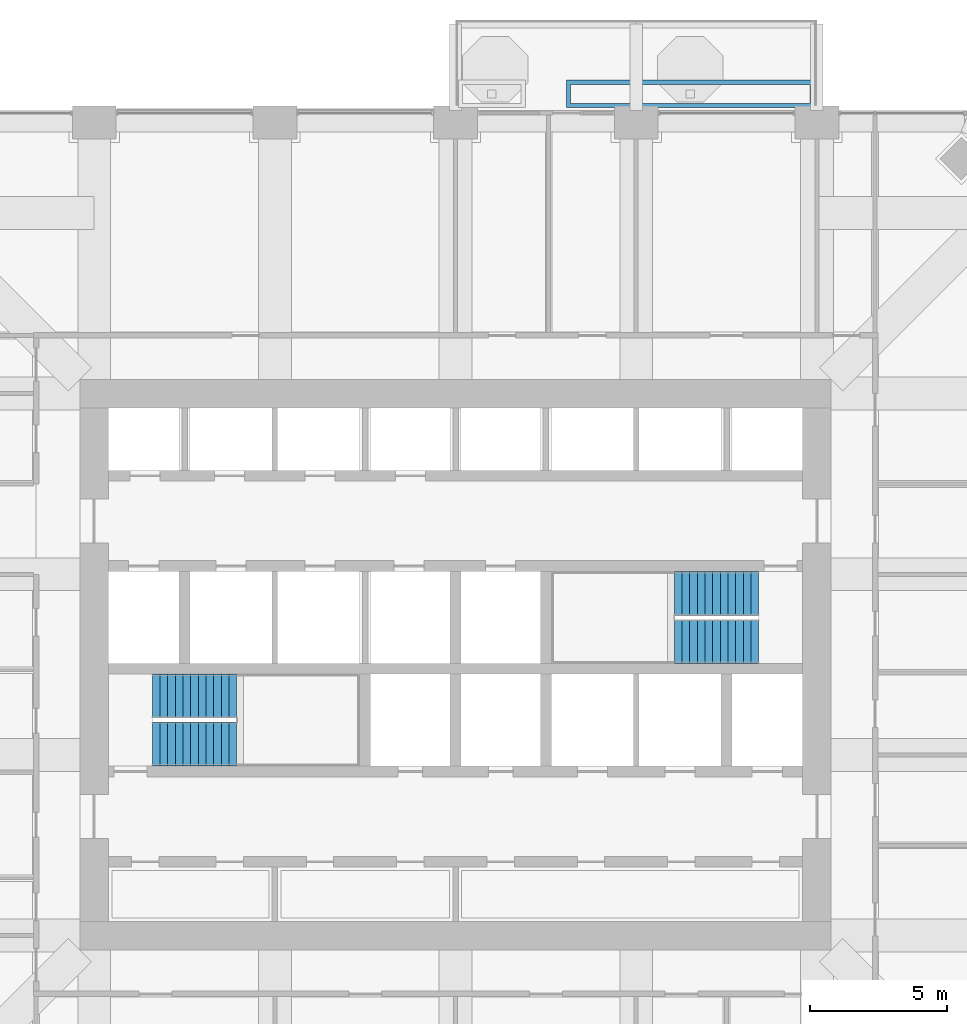
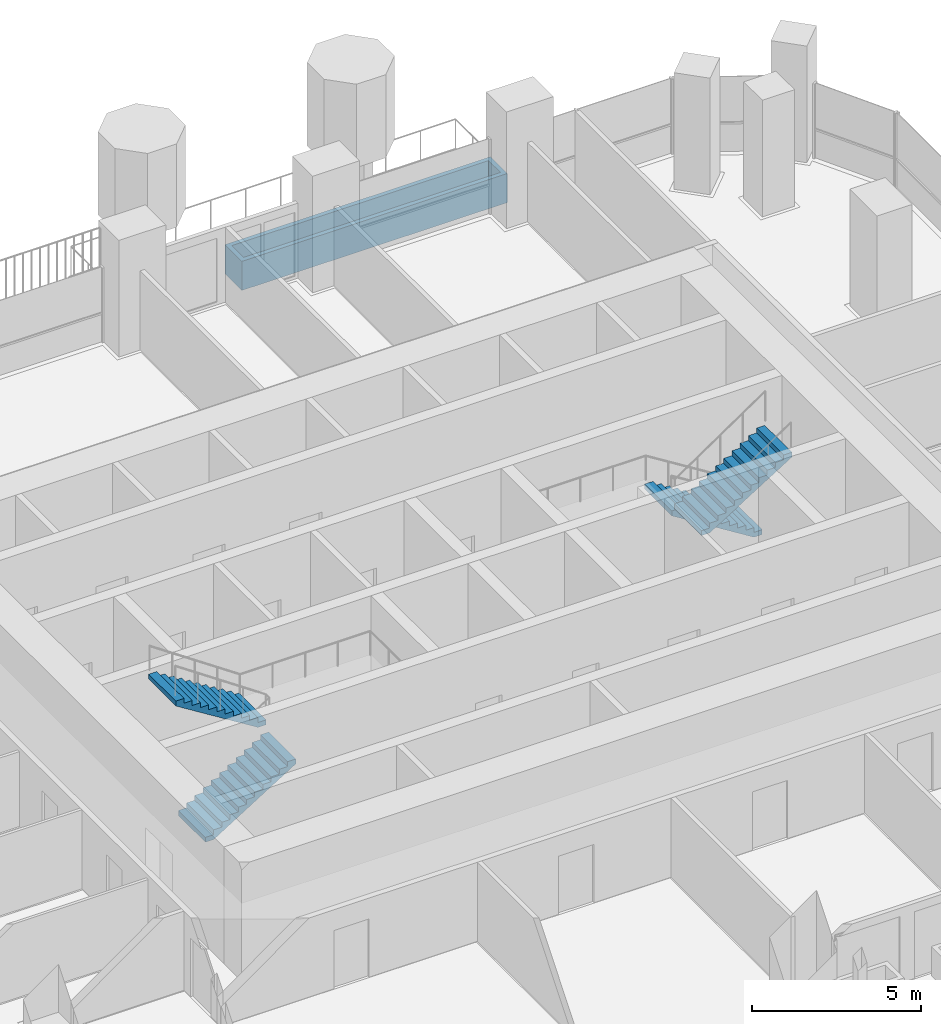
# One storey, part 16 of 20: 4 stair flights, 1 wall, 2 elements without a shape of their own.
"""IFC4 building model written with IfcOpenShell, lengths in metres."""

from ifc_helpers import new_model, si_unit, direction, frame, origin, place, context, subcontext, project, spatial, polyline, outline, extrude, material, layer, layer_set, type_object, element, aggregate, save


model = new_model("IFC4")

# Units and contexts
model_context = context("Model", 3, precision=1e-05, world=origin(), true_north=direction((0.0, 1.0)))
body_context = subcontext(model_context, "Body", "Model", "MODEL_VIEW")
ifc_project = project(units=[si_unit("LENGTHUNIT", "METRE"), si_unit("AREAUNIT", "SQUARE_METRE"), si_unit("VOLUMEUNIT", "CUBIC_METRE"), si_unit("PLANEANGLEUNIT", "RADIAN"), si_unit("MASSUNIT", "GRAM", prefix="KILO")], contexts=[model_context])

# Site, building, storey
site_placement = place(None, origin())
site = spatial("IfcSite", under=ifc_project, at=site_placement, CompositionType="ELEMENT")
building_placement = place(site_placement, origin())
building = spatial("IfcBuilding", under=site, at=building_placement, Name="Cobogo Forest Laboratory Tower", CompositionType="ELEMENT")
storey_placement = place(building_placement, frame((0.0, 0.0, 189.300048828125)))
storey = spatial("IfcBuildingStorey", under=building, at=storey_placement, Name="L43", CompositionType="ELEMENT", Elevation=189.300048828125)

# Wall
ifc_material_1 = material(Name="Concrete HA-40 (C40/50)", Category="concrete")
ifc_layer = layer(ifc_material_1, 0.14990234375)
ifc_layer_set = layer_set([ifc_layer], Name="Planter box 1000x1050")
wall_type = type_object("IfcWallType", Name="Planter box 1000x1050", PredefinedType="USERDEFINED", material=ifc_layer_set)
wall_placement = place(storey_placement, origin())
element("IfcWall", 1, at=wall_placement, inside=storey, type_object=wall_type, Name="Planter BAL-N1-2 L43", ObjectType="PLANTER", PredefinedType="USERDEFINED", context=body_context, shape_type="SweptSolid", body=[
    extrude(outline(polyline([(30.449951171875, 43.449951171875), (39.5, 43.449951171875), (39.5, 44.449951171875), (30.449951171875, 44.449951171875), (30.449951171875, 43.449951171875)]), holes=[polyline([(30.60009765625, 43.60009765625), (39.35009765625, 43.60009765625), (39.35009765625, 44.300048828125), (30.60009765625, 44.300048828125), (30.60009765625, 43.60009765625)])]), origin(), (0.0, 0.0, 1.0), 1.050048828125),
])

# Stair, stair flights
ifc_material_2 = material(Name="Precast concrete HA-40 (C40/50)", Category="concrete")
stair_type = type_object("IfcStairType", Name="ST24 exit stair 24 risers", PredefinedType="HALF_TURN_STAIR", material=ifc_material_2)
stair_1_placement = place(storey_placement, origin())
stair_1 = element("IfcStair", 2, at=stair_1_placement, inside=storey, type_object=stair_type, Name="Stair 1 L43 to L44", PredefinedType="HALF_TURN_STAIR")
stair_flight_type = type_object("IfcStairFlightType", Name="ST stair flight 280 going", PredefinedType="STRAIGHT", material=ifc_material_2)
stair_flight_1_placement = place(storey_placement, frame((15.324951171875, 20.199951171875, 0.0), z_axis=(0.0, 0.0, 1.0), x_axis=(1.0, 0.0, 0.0)))
stair_flight_1 = element("IfcStairFlight", 3, at=stair_flight_1_placement, type_object=stair_flight_type, Name="ST1 flight 1", NumberOfRisers=12, NumberOfTreads=11, PredefinedType="STRAIGHT", RiserHeight=0.175, TreadLength=0.28, context=body_context, shape_type="SweptSolid", body=[
    extrude(outline(polyline([(0.0, 0.0), (0.0, 0.175048828125), (0.280029296875, 0.175048828125), (0.280029296875, 0.35009765625), (0.56005859375, 0.35009765625), (0.56005859375, 0.52490234375), (0.840087890625, 0.52490234375), (0.840087890625, 0.699951171875), (1.1201171875, 0.699951171875), (1.1201171875, 0.875), (1.39990234375, 0.875), (1.39990234375, 1.050048828125), (1.679931640625, 1.050048828125), (1.679931640625, 1.22509765625), (1.9599609375, 1.22509765625), (1.9599609375, 1.39990234375), (2.239990234375, 1.39990234375), (2.239990234375, 1.574951171875), (2.52001953125, 1.574951171875), (2.52001953125, 1.75), (2.800048828125, 1.75), (2.800048828125, 1.925048828125), (3.080078125, 1.925048828125), (3.080078125, 2.10009765625), (3.080078125, 1.748291015625), (0.28271484375, 0.0), (0.0, 0.0)])), frame((0.0, 0.800048828125, 0.0), z_axis=(0.0, -1.0, 0.0), x_axis=(1.0, 0.0, 0.0)), (0.0, 0.0, 1.0), 1.60009765625),
])
stair_flight_2_placement = place(storey_placement, frame((18.405029296875, 21.949951171875, 2.099853515625), z_axis=(0.0, 0.0, 1.0), x_axis=(-1.0, 0.0, 0.0)))
stair_flight_2 = element("IfcStairFlight", 4, at=stair_flight_2_placement, type_object=stair_flight_type, Name="ST1 flight 2", NumberOfRisers=12, NumberOfTreads=11, PredefinedType="STRAIGHT", RiserHeight=0.175, TreadLength=0.28, context=body_context, shape_type="SweptSolid", body=[
    extrude(outline(polyline([(0.0, 0.0), (0.0, 0.175048828125), (0.280029296875, 0.175048828125), (0.280029296875, 0.35009765625), (0.56005859375, 0.35009765625), (0.56005859375, 0.52490234375), (0.840087890625, 0.52490234375), (0.840087890625, 0.699951171875), (1.1201171875, 0.699951171875), (1.1201171875, 0.875), (1.39990234375, 0.875), (1.39990234375, 1.050048828125), (1.679931640625, 1.050048828125), (1.679931640625, 1.22509765625), (1.9599609375, 1.22509765625), (1.9599609375, 1.39990234375), (2.239990234375, 1.39990234375), (2.239990234375, 1.574951171875), (2.52001953125, 1.574951171875), (2.52001953125, 1.75), (2.800048828125, 1.75), (2.800048828125, 1.925048828125), (3.080078125, 1.925048828125), (3.080078125, 2.10009765625), (3.080078125, 1.748291015625), (0.28271484375, 0.0), (0.0, 0.0)])), frame((0.0, 0.800048828125, 0.0), z_axis=(0.0, -1.0, 0.0), x_axis=(1.0, 0.0, 0.0)), (0.0, 0.0, 1.0), 1.60009765625),
])
aggregate(stair_1, [stair_flight_1, stair_flight_2])

stair_2_placement = place(storey_placement, origin())
stair_2 = element("IfcStair", 5, at=stair_2_placement, inside=storey, type_object=stair_type, Name="Stair 2 L43 to L44", PredefinedType="HALF_TURN_STAIR")
stair_flight_3_placement = place(storey_placement, frame((37.47509765625, 25.699951171875, 0.0), z_axis=(0.0, 0.0, 1.0), x_axis=(-1.0, 0.0, 0.0)))
stair_flight_3 = element("IfcStairFlight", 6, at=stair_flight_3_placement, type_object=stair_flight_type, Name="ST2 flight 1", NumberOfRisers=12, NumberOfTreads=11, PredefinedType="STRAIGHT", RiserHeight=0.175, TreadLength=0.28, context=body_context, shape_type="SweptSolid", body=[
    extrude(outline(polyline([(0.0, 0.0), (0.0, 0.175048828125), (0.280029296875, 0.175048828125), (0.280029296875, 0.35009765625), (0.56005859375, 0.35009765625), (0.56005859375, 0.52490234375), (0.840087890625, 0.52490234375), (0.840087890625, 0.699951171875), (1.1201171875, 0.699951171875), (1.1201171875, 0.875), (1.39990234375, 0.875), (1.39990234375, 1.050048828125), (1.679931640625, 1.050048828125), (1.679931640625, 1.22509765625), (1.9599609375, 1.22509765625), (1.9599609375, 1.39990234375), (2.239990234375, 1.39990234375), (2.239990234375, 1.574951171875), (2.52001953125, 1.574951171875), (2.52001953125, 1.75), (2.800048828125, 1.75), (2.800048828125, 1.925048828125), (3.080078125, 1.925048828125), (3.080078125, 2.10009765625), (3.080078125, 1.748291015625), (0.28271484375, 0.0), (0.0, 0.0)])), frame((0.0, 0.800048828125, 0.0), z_axis=(0.0, -1.0, 0.0), x_axis=(1.0, 0.0, 0.0)), (0.0, 0.0, 1.0), 1.60009765625),
])
stair_flight_4_placement = place(storey_placement, frame((34.39501953125, 23.949951171875, 2.099853515625), z_axis=(0.0, 0.0, 1.0), x_axis=(1.0, 0.0, 0.0)))
stair_flight_4 = element("IfcStairFlight", 7, at=stair_flight_4_placement, type_object=stair_flight_type, Name="ST2 flight 2", NumberOfRisers=12, NumberOfTreads=11, PredefinedType="STRAIGHT", RiserHeight=0.175, TreadLength=0.28, context=body_context, shape_type="SweptSolid", body=[
    extrude(outline(polyline([(0.0, 0.0), (0.0, 0.175048828125), (0.280029296875, 0.175048828125), (0.280029296875, 0.35009765625), (0.56005859375, 0.35009765625), (0.56005859375, 0.52490234375), (0.840087890625, 0.52490234375), (0.840087890625, 0.699951171875), (1.1201171875, 0.699951171875), (1.1201171875, 0.875), (1.39990234375, 0.875), (1.39990234375, 1.050048828125), (1.679931640625, 1.050048828125), (1.679931640625, 1.22509765625), (1.9599609375, 1.22509765625), (1.9599609375, 1.39990234375), (2.239990234375, 1.39990234375), (2.239990234375, 1.574951171875), (2.52001953125, 1.574951171875), (2.52001953125, 1.75), (2.800048828125, 1.75), (2.800048828125, 1.925048828125), (3.080078125, 1.925048828125), (3.080078125, 2.10009765625), (3.080078125, 1.748291015625), (0.28271484375, 0.0), (0.0, 0.0)])), frame((0.0, 0.800048828125, 0.0), z_axis=(0.0, -1.0, 0.0), x_axis=(1.0, 0.0, 0.0)), (0.0, 0.0, 1.0), 1.60009765625),
])
aggregate(stair_2, [stair_flight_3, stair_flight_4])

save(model, "model.ifc")
